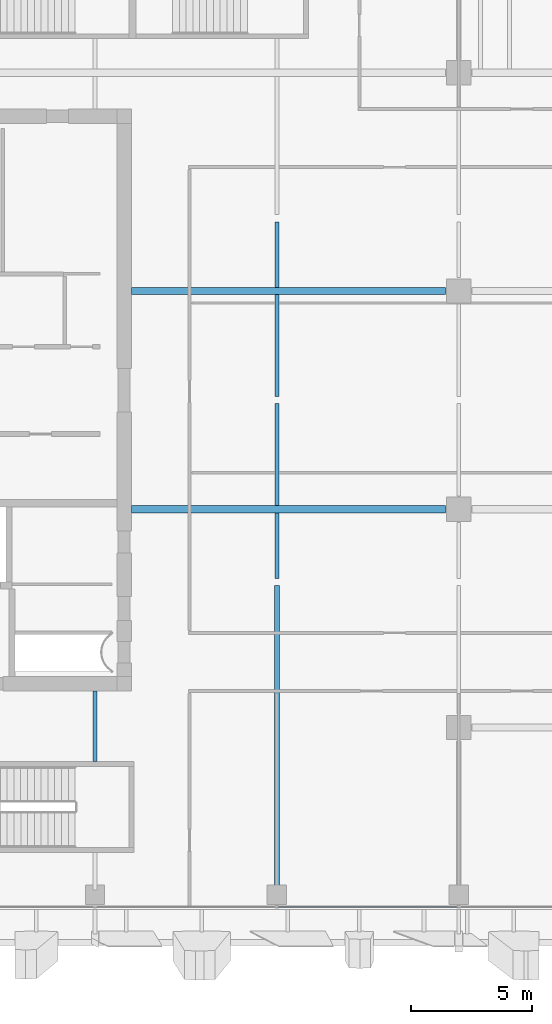
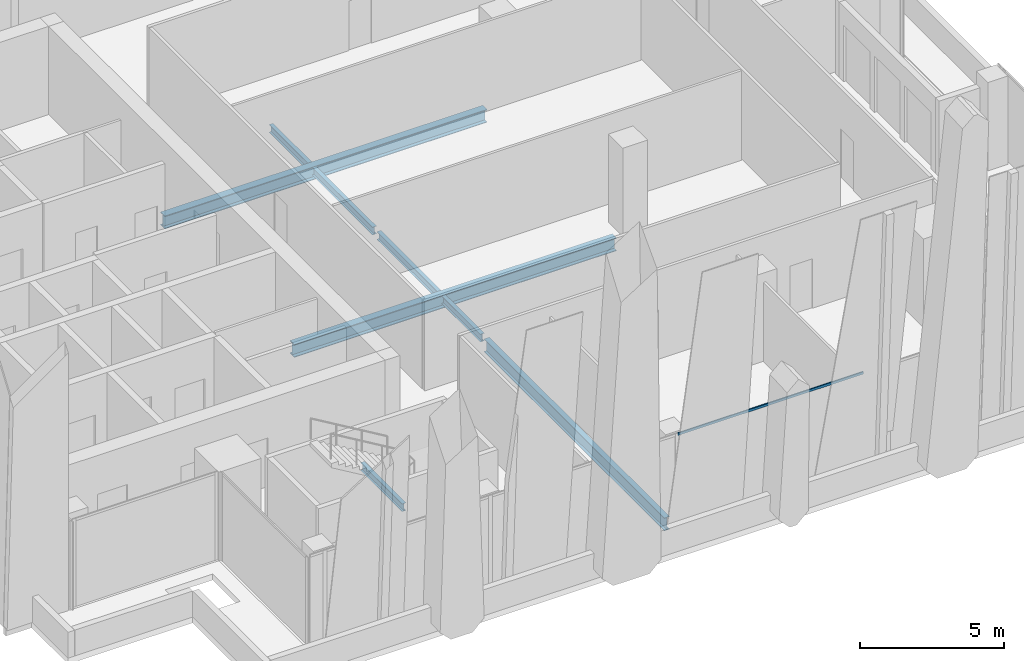
# One storey, part 6 of 32: 8 beams, 1 member, 1 element without a shape of its own.
"""IFC4 building model written with IfcOpenShell, lengths in metres."""

import ifcopenshell
import ifcopenshell.guid

model = None  # the IFC model being written
_history = None  # IfcOwnerHistory: only IFC2X3 demands one
_inside = {}  # id of a spatial element -> (the spatial element, [elements in it])
_under = {}  # id of a project, library or spatial element -> (it, [spatial elements below it])
_declared = {}  # id of a project -> (the project, [libraries it declares])
_typed = {}  # id of a type object -> (the type object, [elements of that type])
_made_of = {}  # id of a material, layer set ... -> (it, [elements and type objects made of it])


def new_model(schema):
    """Start an empty IFC model of exactly this schema.

    Asked for "IFC4X3", IfcOpenShell would pick the latest addendum, in which some entities
    have other attributes; the version numbers below select the first issue.
    IFC2X3 requires an IfcOwnerHistory on every rooted entity: one is made here for all.
    """
    global model, _history
    if schema == "IFC4X3":
        model = ifcopenshell.file(schema_version=(4, 3, 0, 0))
    else:
        model = ifcopenshell.file(schema=schema)
    _inside.clear()
    _under.clear()
    _declared.clear()
    _typed.clear()
    _made_of.clear()
    _history = None
    if model.schema == "IFC2X3":
        org = make("IfcOrganization", Name="unknown")
        user = make(
            "IfcPersonAndOrganization",
            ThePerson=make("IfcPerson", FamilyName="unknown"),
            TheOrganization=org,
        )
        app = make(
            "IfcApplication",
            ApplicationDeveloper=org,
            Version="unknown",
            ApplicationFullName="unknown",
            ApplicationIdentifier="unknown",
        )
        _history = make(
            "IfcOwnerHistory",
            OwningUser=user,
            OwningApplication=app,
            ChangeAction="ADDED",
            CreationDate=0,
        )
    return model


def make(cls, **values):
    """One entity of the class cls with the attributes given. An attribute that is None is left unset."""
    return model.create_entity(
        cls, **{name: value for name, value in values.items() if value is not None}
    )


def rooted(cls, **values):
    """An entity with a GlobalId (a new one), such as an element, a storey or a relation."""
    return make(cls, GlobalId=ifcopenshell.guid.new(), OwnerHistory=_history, **values)


def si_unit(unit_type, name, prefix=None):
    """IfcSIUnit, for example si_unit("LENGTHUNIT", "METRE", prefix="MILLI")."""
    return make("IfcSIUnit", UnitType=unit_type, Prefix=prefix, Name=name)


def assignment(units):
    """IfcUnitAssignment: the units of a project."""
    return None if units is None else make("IfcUnitAssignment", Units=units)


def point(xyz):
    """IfcCartesianPoint."""
    return None if xyz is None else make("IfcCartesianPoint", Coordinates=xyz)


def direction(xyz):
    """IfcDirection."""
    return None if xyz is None else make("IfcDirection", DirectionRatios=xyz)


def frame(location, z_axis=None, x_axis=None):
    """IfcAxis2Placement3D, a coordinate frame: its origin and axes. An axis left out is left unset."""
    return make(
        "IfcAxis2Placement3D",
        Location=point(location),
        Axis=direction(z_axis),
        RefDirection=direction(x_axis),
    )


def frame_2d(location, x_axis=None):
    """IfcAxis2Placement2D, a coordinate frame in the plane: its origin and x axis."""
    return make(
        "IfcAxis2Placement2D", Location=point(location), RefDirection=direction(x_axis)
    )


def origin():
    """The frame at (0, 0, 0) with its axes left unset."""
    return frame((0.0, 0.0, 0.0))


def origin_2d():
    """The frame at (0, 0) in the plane with its x axis left unset."""
    return frame_2d((0.0, 0.0))


def place(relative_to, where):
    """IfcLocalPlacement: puts the frame where relative to a parent placement (None: the world)."""
    return make(
        "IfcLocalPlacement", PlacementRelTo=relative_to, RelativePlacement=where
    )


def context(
    kind, dimensions, precision=None, world=None, true_north=None, identifier=None
):
    """IfcGeometricRepresentationContext, for example the 3D "Model" context."""
    return make(
        "IfcGeometricRepresentationContext",
        ContextIdentifier=identifier,
        ContextType=kind,
        CoordinateSpaceDimension=dimensions,
        Precision=precision,
        WorldCoordinateSystem=world,
        TrueNorth=true_north,
    )


def subcontext(parent, identifier, kind, view, scale=None):
    """IfcGeometricRepresentationSubContext, for example "Body" below "Model"."""
    return make(
        "IfcGeometricRepresentationSubContext",
        ContextIdentifier=identifier,
        ContextType=kind,
        ParentContext=parent,
        TargetScale=scale,
        TargetView=view,
    )


def project(units=None, contexts=None):
    """IfcProject with its units and contexts."""
    return rooted(
        "IfcProject",
        Name="project",
        RepresentationContexts=contexts,
        UnitsInContext=assignment(units),
    )


def spatial(cls, under=None, at=None, **own):
    """A site, building, storey or space (cls), placed at a placement, below another one or the project."""
    s = rooted(cls, ObjectPlacement=at, **own)
    if under is not None:
        _under.setdefault(under.id(), (under, []))[1].append(s)
    return s


def profile(cls, at=None, kind="AREA", **sizes):
    """A parametric profile (cls). Its sizes go by their IFC names, for example OverallWidth=200.0."""
    return make(cls, ProfileType=kind, Position=at, **sizes)


def hollow_rectangle(**sizes):
    """IfcRectangleHollowProfileDef."""
    return profile("IfcRectangleHollowProfileDef", **sizes)


def i_section(**sizes):
    """IfcIShapeProfileDef."""
    return profile("IfcIShapeProfileDef", **sizes)


def extrude(swept, where, along, depth):
    """IfcExtrudedAreaSolid: the profile swept, set in the frame where, extruded along a direction by depth."""
    return make(
        "IfcExtrudedAreaSolid",
        SweptArea=swept,
        Position=where,
        ExtrudedDirection=direction(along),
        Depth=depth,
    )


def shape(context_of_items, identifier, shape_type, items):
    """IfcShapeRepresentation: the items that make up one representation, for example the "Body"."""
    return make(
        "IfcShapeRepresentation",
        ContextOfItems=context_of_items,
        RepresentationIdentifier=identifier,
        RepresentationType=shape_type,
        Items=items,
    )


def source(mapping_origin, context_of_items, identifier, shape_type, items):
    """IfcRepresentationMap: a shape defined once, which mapped items show again and again."""
    return make(
        "IfcRepresentationMap",
        MappingOrigin=mapping_origin,
        MappedRepresentation=shape(context_of_items, identifier, shape_type, items),
    )


def transform(
    local_origin,
    x_axis=None,
    y_axis=None,
    z_axis=None,
    scale=None,
    scale2=None,
    scale3=None,
    uniform=True,
):
    """IfcCartesianTransformationOperator3D, or its non-uniform kind. x_axis, y_axis, z_axis: its Axis1, 2, 3."""
    if uniform:
        return make(
            "IfcCartesianTransformationOperator3D",
            Axis1=direction(x_axis),
            Axis2=direction(y_axis),
            LocalOrigin=point(local_origin),
            Scale=scale,
            Axis3=direction(z_axis),
        )
    return make(
        "IfcCartesianTransformationOperator3DnonUniform",
        Axis1=direction(x_axis),
        Axis2=direction(y_axis),
        LocalOrigin=point(local_origin),
        Scale=scale,
        Axis3=direction(z_axis),
        Scale2=scale2,
        Scale3=scale3,
    )


def mapped(mapping_source, mapping_target):
    """IfcMappedItem: shows the shape of a source again, moved by a transform."""
    return make(
        "IfcMappedItem", MappingSource=mapping_source, MappingTarget=mapping_target
    )


def material(Name=None, Category=None):
    """IfcMaterial."""
    return make("IfcMaterial", Name=Name, Category=Category)


def material_profile(
    of_material, cross_section, Name=None, Category=None, Priority=None
):
    """IfcMaterialProfile: a cross section and its material."""
    return make(
        "IfcMaterialProfile",
        Name=Name,
        Material=of_material,
        Profile=cross_section,
        Priority=Priority,
        Category=Category,
    )


def profile_set(profiles, Name=None, composite=None):
    """IfcMaterialProfileSet."""
    return make(
        "IfcMaterialProfileSet",
        Name=Name,
        MaterialProfiles=profiles,
        CompositeProfile=composite,
    )


def made_of(thing, what):
    """Note that an element or type object is made of a material, layer set ...; save() writes the relation."""
    if what is not None:
        _made_of.setdefault(what.id(), (what, []))[1].append(thing)
    return thing


def type_object(cls, material=None, **own):
    """A type object (cls), such as IfcWallType, which elements share."""
    return made_of(rooted(cls, **own), material)


def element(
    cls,
    number,
    at=None,
    inside=None,
    cuts=None,
    type_object=None,
    material=None,
    context=None,
    identifier="Body",
    shape_type=None,
    held_by="IfcProductDefinitionShape",
    body=None,
    shapes=None,
    **own,
):
    """One element of the class cls, such as IfcWall. Its Tag is "e" and its number.

    at: its placement. inside: the storey or other place that contains it. cuts: it is an
    opening in that element (IfcRelVoidsElement). A single representation is given by context,
    identifier, shape_type and body (its items); several are given by shapes. held_by: the class
    of the entity that holds the representations. save() writes the other relations.
    """
    e = rooted(cls, Tag="e%d" % number, ObjectPlacement=at, **own)
    if body is not None:
        shapes = [shape(context, identifier, shape_type, body)]
    if shapes is not None:
        e.Representation = make(held_by, Representations=shapes)
    if inside is not None:
        _inside.setdefault(inside.id(), (inside, []))[1].append(e)
    if cuts is not None:
        rooted(
            "IfcRelVoidsElement", RelatingBuildingElement=cuts, RelatedOpeningElement=e
        )
    if type_object is not None:
        _typed.setdefault(type_object.id(), (type_object, []))[1].append(e)
    return made_of(e, material)


def aggregate(whole, parts):
    """IfcRelAggregates: a whole, such as a stair, and the parts it consists of."""
    return rooted("IfcRelAggregates", RelatingObject=whole, RelatedObjects=parts)


def save(model, path):
    """Write the relations noted so far, then the file.

    IfcRelAggregates (storeys below a building ...), IfcRelContainedInSpatialStructure (elements
    in a storey), IfcRelDefinesByType, IfcRelAssociatesMaterial and IfcRelDeclares: one each for
    every whole, place, type object, material and project.
    """
    for whole, parts in _under.values():
        aggregate(whole, parts)
    for where, things in _inside.values():
        rooted(
            "IfcRelContainedInSpatialStructure",
            RelatedElements=things,
            RelatingStructure=where,
        )
    for kind, things in _typed.values():
        rooted("IfcRelDefinesByType", RelatedObjects=things, RelatingType=kind)
    for what, things in _made_of.values():
        rooted("IfcRelAssociatesMaterial", RelatedObjects=things, RelatingMaterial=what)
    for by, libraries in _declared.values():
        rooted("IfcRelDeclares", RelatingContext=by, RelatedDefinitions=libraries)
    model.write(path)


model = new_model("IFC4")

# Units and contexts
model_context = context("Model", 3, precision=1e-05, world=origin(), true_north=direction((0.0, 1.0)))
body_context = subcontext(model_context, "Body", "Model", "MODEL_VIEW")
ifc_project = project(units=[si_unit("LENGTHUNIT", "METRE"), si_unit("AREAUNIT", "SQUARE_METRE"), si_unit("VOLUMEUNIT", "CUBIC_METRE"), si_unit("PLANEANGLEUNIT", "RADIAN"), si_unit("MASSUNIT", "GRAM", prefix="KILO")], contexts=[model_context])

# Site, building, storey
site_placement = place(None, origin())
site = spatial("IfcSite", under=ifc_project, at=site_placement, CompositionType="ELEMENT")
building_placement = place(site_placement, origin())
building = spatial("IfcBuilding", under=site, at=building_placement, Name="Khomas Fold Tower", CompositionType="ELEMENT")
storey_placement = place(building_placement, frame((0.0, 0.0, 282.199951171875)))
storey = spatial("IfcBuildingStorey", under=building, at=storey_placement, Name="L63", CompositionType="ELEMENT", Elevation=282.199951171875)

# Beams
ifc_material_1 = material(Name="Steel S355", Category="steel")
ifc_material_profile_1 = material_profile(ifc_material_1, i_section(OverallWidth=0.159912109375, OverallDepth=0.330078125, WebThickness=0.007568359375, FlangeThickness=0.011474609375, at=origin_2d()), Name="IPE 330")
ifc_profile_set_1 = profile_set([ifc_material_profile_1], Name="Steel S355")
beam_type_1 = type_object("IfcBeamType", Name="IPE 330 beam JB1", PredefinedType="BEAM", material=ifc_profile_set_1)
shared_shape_1 = source(origin(), body_context, "Body", "SweptSolid", [
    extrude(i_section(OverallWidth=0.159912109375, OverallDepth=0.330078125, WebThickness=0.007568359375, FlangeThickness=0.011474609375, at=origin_2d()), origin(), (0.0, 0.0, 1.0), 2.89990234375),
])
beam_1_placement = place(storey_placement, frame((19.5, 12.10009765625, -0.4150390625), z_axis=(0.0, 1.0, 0.0), x_axis=(-1.0, 0.0, 0.0)))
element("IfcBeam", 1, at=beam_1_placement, inside=storey, type_object=beam_type_1, Name="JB1", PredefinedType="BEAM", context=body_context, shape_type="MappedRepresentation", body=[
    mapped(shared_shape_1, transform((0.0, 0.0, 0.0))),
])
shared_shape_2 = source(origin(), body_context, "Body", "SweptSolid", [
    extrude(i_section(OverallWidth=0.159912109375, OverallDepth=0.330078125, WebThickness=0.007568359375, FlangeThickness=0.011474609375, at=origin_2d()), origin(), (0.0, 0.0, 1.0), 2.69921875),
])
for number, where, z_axis, x_axis, name in (
    (2, (27.0, 19.65087890625, -0.4150390625), (0.0, 1.0, 0.0), (-1.0, 0.0, 0.0), "JB1"),
    (3, (27.0, 31.64990234375, -0.4150390625), (0.0, 1.0, 0.0), (-1.0, 0.0, 0.0), "JB1"),
):
    element("IfcBeam", number, at=place(storey_placement, frame(where, z_axis=z_axis, x_axis=x_axis)), inside=storey, type_object=beam_type_1, Name=name, PredefinedType="BEAM", context=body_context, shape_type="MappedRepresentation", body=[
        mapped(shared_shape_2, transform((0.0, 0.0, 0.0))),
    ])
shared_shape_3 = source(origin(), body_context, "Body", "SweptSolid", [
    extrude(i_section(OverallWidth=0.159912109375, OverallDepth=0.330078125, WebThickness=0.007568359375, FlangeThickness=0.011474609375, at=origin_2d()), origin(), (0.0, 0.0, 1.0), 4.19921875),
])
for number, where, z_axis, x_axis, name in (
    (4, (27.0, 22.64990234375, -0.4150390625), (0.0, 1.0, 0.0), (-1.0, 0.0, 0.0), "JB1"),
    (5, (27.0, 27.15087890625, -0.4150390625), (0.0, 1.0, 0.0), (-1.0, 0.0, 0.0), "JB1"),
):
    element("IfcBeam", number, at=place(storey_placement, frame(where, z_axis=z_axis, x_axis=x_axis)), inside=storey, type_object=beam_type_1, Name=name, PredefinedType="BEAM", context=body_context, shape_type="MappedRepresentation", body=[
        mapped(shared_shape_3, transform((0.0, 0.0, 0.0))),
    ])
ifc_material_2 = material(Name="Steel S355", Category="steel")
ifc_material_profile_2 = material_profile(ifc_material_2, i_section(OverallWidth=0.300048828125, OverallDepth=0.550048828125, WebThickness=0.014892578125, FlangeThickness=0.029052734375, at=origin_2d()), Name="HE 550 B")
ifc_profile_set_2 = profile_set([ifc_material_profile_2], Name="Steel S355")
beam_type_2 = type_object("IfcBeamType", Name="HE 550 B beam GB4", PredefinedType="BEAM", material=ifc_profile_set_2)
shared_shape_4 = source(origin(), body_context, "Body", "SweptSolid", [
    extrude(i_section(OverallWidth=0.300048828125, OverallDepth=0.550048828125, WebThickness=0.014892578125, FlangeThickness=0.029052734375, at=origin_2d()), origin(), (0.0, 0.0, 1.0), 12.949951171875),
])
for number, where, z_axis, x_axis, name in (
    (6, (21.0, 22.5, -0.52490234375), (1.0, 0.0, 0.0), (0.0, 1.0, 0.0), "GB4"),
    (7, (21.0, 31.5, -0.52490234375), (1.0, 0.0, 0.0), (0.0, 1.0, 0.0), "GB4"),
):
    element("IfcBeam", number, at=place(storey_placement, frame(where, z_axis=z_axis, x_axis=x_axis)), inside=storey, type_object=beam_type_2, Name=name, PredefinedType="BEAM", context=body_context, shape_type="MappedRepresentation", body=[
        mapped(shared_shape_4, transform((0.0, 0.0, 0.0))),
    ])
ifc_material_3 = material(Name="Steel S355", Category="steel")
ifc_material_profile_3 = material_profile(ifc_material_3, i_section(OverallWidth=0.2099609375, OverallDepth=0.550048828125, WebThickness=0.010986328125, FlangeThickness=0.01708984375, at=origin_2d()), Name="IPE 550")
ifc_profile_set_3 = profile_set([ifc_material_profile_3], Name="Steel S355")
beam_type_3 = type_object("IfcBeamType", Name="IPE 550 beam JB6", PredefinedType="BEAM", material=ifc_profile_set_3)
shared_shape_5 = source(origin(), body_context, "Body", "SweptSolid", [
    extrude(i_section(OverallWidth=0.2099609375, OverallDepth=0.550048828125, WebThickness=0.010986328125, FlangeThickness=0.01708984375, at=origin_2d()), origin(), (0.0, 0.0, 1.0), 12.549072265625),
])
beam_2_placement = place(storey_placement, frame((27.0, 6.800048828125, -0.52490234375), z_axis=(0.0, 1.0, 0.0), x_axis=(-1.0, 0.0, 0.0)))
element("IfcBeam", 8, at=beam_2_placement, inside=storey, type_object=beam_type_3, Name="JB6", PredefinedType="BEAM", context=body_context, shape_type="MappedRepresentation", body=[
    mapped(shared_shape_5, transform((0.0, 0.0, 0.0))),
])

# Curtain wall, member
ifc_material_4 = material(Name="Aluminium framed double glazing", Category="aluminium")
curtain_wall_type = type_object("IfcCurtainWallType", Name="SK-Unitised clear-glass wall, upper floors CW3", PredefinedType="NOTDEFINED", material=ifc_material_4)
curtain_wall_placement = place(storey_placement, origin())
curtain_wall = element("IfcCurtainWall", 9, at=curtain_wall_placement, inside=storey, type_object=curtain_wall_type, Name="CW3 run L63 00-0", PredefinedType="NOTDEFINED")
ifc_material_5 = material(Name="Aluminium", Category="aluminium")
ifc_material_profile_4 = material_profile(ifc_material_5, hollow_rectangle(XDim=0.050048828125, YDim=0.10009765625, WallThickness=0.00390625, at=origin_2d()), Name="SK-Unitised clear-glass wall, upper floors transom CW3-T")
ifc_profile_set_4 = profile_set([ifc_material_profile_4], Name="Aluminium")
member_type = type_object("IfcMemberType", Name="SK-Unitised clear-glass wall, upper floors transom CW3-T", PredefinedType="USERDEFINED", material=ifc_profile_set_4)
shared_shape_6 = source(origin(), body_context, "Body", "SweptSolid", [
    extrude(hollow_rectangle(XDim=0.050048828125, YDim=0.10009765625, WallThickness=0.00390625, at=origin_2d()), origin(), (0.0, 0.0, 1.0), 7.4501953125),
])
member_placement = place(storey_placement, frame((27.02490234375, 6.10009765625, 3.699951171875), z_axis=(1.0, 0.0, 0.0), x_axis=(0.0, 1.0, 0.0)))
member = element("IfcMember", 10, at=member_placement, type_object=member_type, Name="CW3 transom 4", ObjectType="TRANSOM", PredefinedType="USERDEFINED", context=body_context, shape_type="MappedRepresentation", body=[
    mapped(shared_shape_6, transform((0.0, 0.0, 0.0))),
])
aggregate(curtain_wall, [member])

save(model, "model.ifc")
